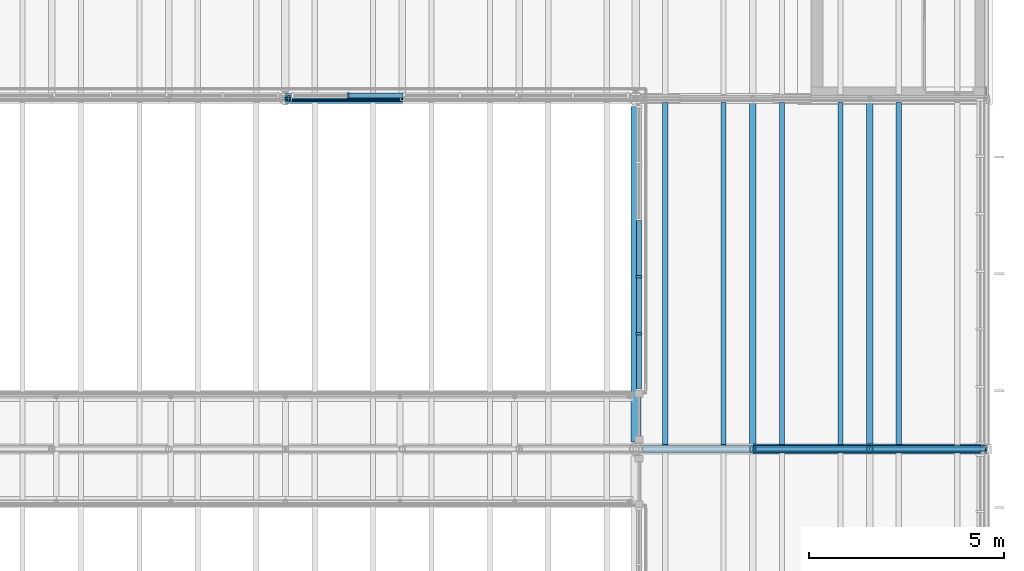
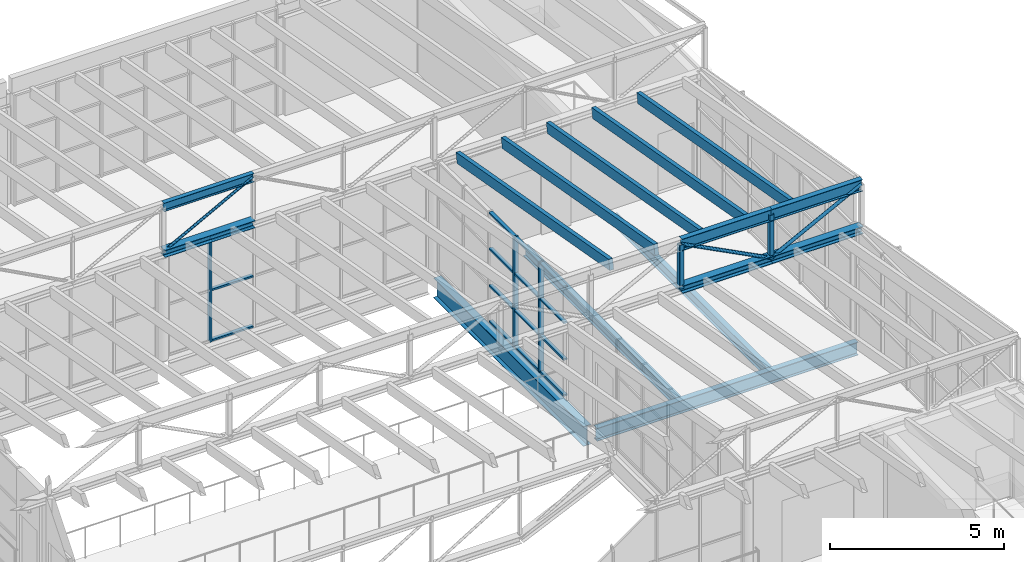
# One storey, part 23 of 44: 34 members, 4 beams, 2 elements without a shape of their own.
"""IFC4 building model written with IfcOpenShell, lengths in metres."""

from ifc_helpers import new_model, si_unit, direction, frame, origin, origin_2d, place, context, subcontext, project, spatial, rectangle, hollow_rectangle, hollow_circle, i_section, extrude, material, layer, layer_set, material_profile, profile_set, type_object, element, aggregate, save


model = new_model("IFC4")

# Units and contexts
model_context = context("Model", 3, precision=1e-05, world=origin(), true_north=direction((0.0, 1.0)))
body_context = subcontext(model_context, "Body", "Model", "MODEL_VIEW")
ifc_project = project(units=[si_unit("LENGTHUNIT", "METRE"), si_unit("AREAUNIT", "SQUARE_METRE"), si_unit("VOLUMEUNIT", "CUBIC_METRE"), si_unit("PLANEANGLEUNIT", "RADIAN"), si_unit("MASSUNIT", "GRAM", prefix="KILO")], contexts=[model_context])

# Site, building, storey
site_placement = place(None, origin())
site = spatial("IfcSite", under=ifc_project, at=site_placement, CompositionType="ELEMENT")
building_placement = place(site_placement, origin())
building = spatial("IfcBuilding", under=site, at=building_placement, Name="Halyard Row Museum", CompositionType="ELEMENT")
storey_placement = place(building_placement, frame((0.0, 0.0, 21.199951171875)))
storey = spatial("IfcBuildingStorey", under=building, at=storey_placement, Name="L04", CompositionType="ELEMENT", Elevation=21.199951171875)

# Beam
ifc_material_1 = material(Name="Steel Grade 300", Category="steel")
ifc_material_profile_1 = material_profile(ifc_material_1, i_section(OverallWidth=0.25, OverallDepth=0.699951171875, WebThickness=0.010009765625, FlangeThickness=0.02001953125, at=origin_2d()), Name="700WB130")
ifc_profile_set_1 = profile_set([ifc_material_profile_1], Name="Steel Grade 300")
beam_type_1 = type_object("IfcBeamType", Name="Bearing beam 700WB130", PredefinedType="BEAM", material=ifc_profile_set_1)
beam_1_placement = place(storey_placement, frame((99.0, 18.177734375, -0.514892578125), z_axis=(0.0, 1.0, 0.0), x_axis=(-1.0, 0.0, 0.0)))
element("IfcBeam", 1, at=beam_1_placement, inside=storey, type_object=beam_type_1, Name="Beam L04-029", PredefinedType="BEAM", context=body_context, shape_type="SweptSolid", body=[
    extrude(i_section(OverallWidth=0.25, OverallDepth=0.699951171875, WebThickness=0.010009765625, FlangeThickness=0.02001953125, at=origin_2d()), origin(), (0.0, 0.0, 1.0), 8.619140625),
])

# Curtain wall, members
ifc_material_2 = material(Name="Fire-resisting laminated glazing", Category="glass")
ifc_layer = layer(ifc_material_2, 0.159912109375)
ifc_layer_set = layer_set([ifc_layer], Name="Fire-resisting laminated glazing")
curtain_wall_type = type_object("IfcCurtainWallType", Name="Curtain wall atrium screen 160 deep", PredefinedType="NOTDEFINED", material=ifc_layer_set)
curtain_wall_1_placement = place(storey_placement, origin())
curtain_wall_1 = element("IfcCurtainWall", 2, at=curtain_wall_1_placement, inside=storey, type_object=curtain_wall_type, Name="Curtain wall CW105", PredefinedType="NOTDEFINED")
ifc_material_3 = material(Name="Powder-coated aluminium section", Category="aluminium")
ifc_material_profile_2 = material_profile(ifc_material_3, rectangle(XDim=0.159912109375, YDim=0.06005859375, at=origin_2d()), Name="160x60 mullion")
ifc_profile_set_2 = profile_set([ifc_material_profile_2], Name="Powder-coated aluminium section")
member_type_1 = type_object("IfcMemberType", Name="Curtain wall mullion CM5 60 x 160", PredefinedType="MULLION", material=ifc_profile_set_2)
member_1_placement = place(storey_placement, frame((99.080078125, 20.96435546875, 0.0), z_axis=(0.0, 0.0, 1.0), x_axis=(-1.0, 0.0, 0.0)))
member_1 = element("IfcMember", 3, at=member_1_placement, type_object=member_type_1, Name="CW105 mullion 2", PredefinedType="MULLION", context=body_context, shape_type="SweptSolid", body=[
    extrude(rectangle(XDim=0.159912109375, YDim=0.06005859375, at=origin_2d()), origin(), (0.0, 0.0, 1.0), 3.878173828125),
])
member_2_placement = place(storey_placement, frame((99.080078125, 22.428955078125, 0.0), z_axis=(0.0, 0.0, 1.0), x_axis=(-1.0, 0.0, 0.0)))
member_2 = element("IfcMember", 4, at=member_2_placement, type_object=member_type_1, Name="CW105 mullion 3", PredefinedType="MULLION", context=body_context, shape_type="SweptSolid", body=[
    extrude(rectangle(XDim=0.159912109375, YDim=0.06005859375, at=origin_2d()), origin(), (0.0, 0.0, 1.0), 3.878173828125),
])

# Curtain wall, member
curtain_wall_2_placement = place(storey_placement, origin())
curtain_wall_2 = element("IfcCurtainWall", 5, at=curtain_wall_2_placement, inside=storey, type_object=curtain_wall_type, Name="Curtain wall CW106", PredefinedType="NOTDEFINED")
member_3_placement = place(storey_placement, frame((91.605224609375, 27.080078125, 0.0), z_axis=(0.0, 0.0, 1.0), x_axis=(0.0, -1.0, 0.0)))
member_3 = element("IfcMember", 6, at=member_3_placement, type_object=member_type_1, Name="CW106 mullion 6", PredefinedType="MULLION", context=body_context, shape_type="SweptSolid", body=[
    extrude(rectangle(XDim=0.159912109375, YDim=0.06005859375, at=origin_2d()), origin(), (0.0, 0.0, 1.0), 3.60009765625),
])

# Member
ifc_material_4 = material(Name="Powder-coated aluminium section", Category="aluminium")
ifc_material_profile_3 = material_profile(ifc_material_4, rectangle(XDim=0.1201171875, YDim=0.06005859375, at=origin_2d()), Name="120x60 transom")
ifc_profile_set_3 = profile_set([ifc_material_profile_3], Name="Powder-coated aluminium section")
member_type_2 = type_object("IfcMemberType", Name="Curtain wall transom CT5 60 x 120", PredefinedType="USERDEFINED", material=ifc_profile_set_3)
member_4_placement = place(storey_placement, frame((99.080078125, 19.56005859375, 0.030029296875), z_axis=(0.0, 1.0, 0.0), x_axis=(-1.0, 0.0, 0.0)))
member_4 = element("IfcMember", 7, at=member_4_placement, type_object=member_type_2, Name="CW105 transom 1.1", ObjectType="TRANSOM", PredefinedType="USERDEFINED", context=body_context, shape_type="SweptSolid", body=[
    extrude(rectangle(XDim=0.1201171875, YDim=0.06005859375, at=origin_2d()), origin(), (0.0, 0.0, 1.0), 1.374267578125),
])

member_5_placement = place(storey_placement, frame((99.080078125, 19.56005859375, 1.292724609375), z_axis=(0.0, 1.0, 0.0), x_axis=(-1.0, 0.0, 0.0)))
member_5 = element("IfcMember", 8, at=member_5_placement, type_object=member_type_2, Name="CW105 transom 1.2", ObjectType="TRANSOM", PredefinedType="USERDEFINED", context=body_context, shape_type="SweptSolid", body=[
    extrude(rectangle(XDim=0.1201171875, YDim=0.06005859375, at=origin_2d()), origin(), (0.0, 0.0, 1.0), 1.374267578125),
])

member_6_placement = place(storey_placement, frame((99.080078125, 19.56005859375, 2.58544921875), z_axis=(0.0, 1.0, 0.0), x_axis=(-1.0, 0.0, 0.0)))
member_6 = element("IfcMember", 9, at=member_6_placement, type_object=member_type_2, Name="CW105 transom 1.3", ObjectType="TRANSOM", PredefinedType="USERDEFINED", context=body_context, shape_type="SweptSolid", body=[
    extrude(rectangle(XDim=0.1201171875, YDim=0.06005859375, at=origin_2d()), origin(), (0.0, 0.0, 1.0), 1.374267578125),
])

member_7_placement = place(storey_placement, frame((99.080078125, 19.56005859375, 3.84814453125), z_axis=(0.0, 1.0, 0.0), x_axis=(-1.0, 0.0, 0.0)))
member_7 = element("IfcMember", 10, at=member_7_placement, type_object=member_type_2, Name="CW105 transom 1.4", ObjectType="TRANSOM", PredefinedType="USERDEFINED", context=body_context, shape_type="SweptSolid", body=[
    extrude(rectangle(XDim=0.1201171875, YDim=0.06005859375, at=origin_2d()), origin(), (0.0, 0.0, 1.0), 1.374267578125),
])

member_8_placement = place(storey_placement, frame((99.080078125, 20.994384765625, 0.030029296875), z_axis=(0.0, 1.0, 0.0), x_axis=(-1.0, 0.0, 0.0)))
member_8 = element("IfcMember", 11, at=member_8_placement, type_object=member_type_2, Name="CW105 transom 2.1", ObjectType="TRANSOM", PredefinedType="USERDEFINED", context=body_context, shape_type="SweptSolid", body=[
    extrude(rectangle(XDim=0.1201171875, YDim=0.06005859375, at=origin_2d()), origin(), (0.0, 0.0, 1.0), 1.404541015625),
])

member_9_placement = place(storey_placement, frame((99.080078125, 20.994384765625, 1.292724609375), z_axis=(0.0, 1.0, 0.0), x_axis=(-1.0, 0.0, 0.0)))
member_9 = element("IfcMember", 12, at=member_9_placement, type_object=member_type_2, Name="CW105 transom 2.2", ObjectType="TRANSOM", PredefinedType="USERDEFINED", context=body_context, shape_type="SweptSolid", body=[
    extrude(rectangle(XDim=0.1201171875, YDim=0.06005859375, at=origin_2d()), origin(), (0.0, 0.0, 1.0), 1.404541015625),
])

member_10_placement = place(storey_placement, frame((99.080078125, 20.994384765625, 2.58544921875), z_axis=(0.0, 1.0, 0.0), x_axis=(-1.0, 0.0, 0.0)))
member_10 = element("IfcMember", 13, at=member_10_placement, type_object=member_type_2, Name="CW105 transom 2.3", ObjectType="TRANSOM", PredefinedType="USERDEFINED", context=body_context, shape_type="SweptSolid", body=[
    extrude(rectangle(XDim=0.1201171875, YDim=0.06005859375, at=origin_2d()), origin(), (0.0, 0.0, 1.0), 1.404541015625),
])

member_11_placement = place(storey_placement, frame((99.080078125, 20.994384765625, 3.84814453125), z_axis=(0.0, 1.0, 0.0), x_axis=(-1.0, 0.0, 0.0)))
member_11 = element("IfcMember", 14, at=member_11_placement, type_object=member_type_2, Name="CW105 transom 2.4", ObjectType="TRANSOM", PredefinedType="USERDEFINED", context=body_context, shape_type="SweptSolid", body=[
    extrude(rectangle(XDim=0.1201171875, YDim=0.06005859375, at=origin_2d()), origin(), (0.0, 0.0, 1.0), 1.404541015625),
])

member_12_placement = place(storey_placement, frame((99.080078125, 22.458984375, 0.030029296875), z_axis=(0.0, 1.0, 0.0), x_axis=(-1.0, 0.0, 0.0)))
member_12 = element("IfcMember", 15, at=member_12_placement, type_object=member_type_2, Name="CW105 transom 3.1", ObjectType="TRANSOM", PredefinedType="USERDEFINED", context=body_context, shape_type="SweptSolid", body=[
    extrude(rectangle(XDim=0.1201171875, YDim=0.06005859375, at=origin_2d()), origin(), (0.0, 0.0, 1.0), 1.404296875),
])

member_13_placement = place(storey_placement, frame((99.080078125, 22.458984375, 1.292724609375), z_axis=(0.0, 1.0, 0.0), x_axis=(-1.0, 0.0, 0.0)))
member_13 = element("IfcMember", 16, at=member_13_placement, type_object=member_type_2, Name="CW105 transom 3.2", ObjectType="TRANSOM", PredefinedType="USERDEFINED", context=body_context, shape_type="SweptSolid", body=[
    extrude(rectangle(XDim=0.1201171875, YDim=0.06005859375, at=origin_2d()), origin(), (0.0, 0.0, 1.0), 1.404296875),
])

member_14_placement = place(storey_placement, frame((99.080078125, 22.458984375, 2.58544921875), z_axis=(0.0, 1.0, 0.0), x_axis=(-1.0, 0.0, 0.0)))
member_14 = element("IfcMember", 17, at=member_14_placement, type_object=member_type_2, Name="CW105 transom 3.3", ObjectType="TRANSOM", PredefinedType="USERDEFINED", context=body_context, shape_type="SweptSolid", body=[
    extrude(rectangle(XDim=0.1201171875, YDim=0.06005859375, at=origin_2d()), origin(), (0.0, 0.0, 1.0), 1.404296875),
])

member_15_placement = place(storey_placement, frame((99.080078125, 22.458984375, 3.84814453125), z_axis=(0.0, 1.0, 0.0), x_axis=(-1.0, 0.0, 0.0)))
member_15 = element("IfcMember", 18, at=member_15_placement, type_object=member_type_2, Name="CW105 transom 3.4", ObjectType="TRANSOM", PredefinedType="USERDEFINED", context=body_context, shape_type="SweptSolid", body=[
    extrude(rectangle(XDim=0.1201171875, YDim=0.06005859375, at=origin_2d()), origin(), (0.0, 0.0, 1.0), 1.404296875),
])

aggregate(curtain_wall_1, [member_1, member_2, member_4, member_5, member_6, member_7, member_8, member_9, member_10, member_11, member_12, member_13, member_14, member_15])

member_16_placement = place(storey_placement, frame((93.018798828125, 27.080078125, 0.030029296875), z_axis=(-1.0, 0.0, 0.0), x_axis=(0.0, -1.0, 0.0)))
member_16 = element("IfcMember", 19, at=member_16_placement, type_object=member_type_2, Name="CW106 transom 5.1", ObjectType="TRANSOM", PredefinedType="USERDEFINED", context=body_context, shape_type="SweptSolid", body=[
    extrude(rectangle(XDim=0.1201171875, YDim=0.06005859375, at=origin_2d()), origin(), (0.0, 0.0, 1.0), 1.383544921875),
])

member_17_placement = place(storey_placement, frame((93.018798828125, 27.080078125, 1.800048828125), z_axis=(-1.0, 0.0, 0.0), x_axis=(0.0, -1.0, 0.0)))
member_17 = element("IfcMember", 20, at=member_17_placement, type_object=member_type_2, Name="CW106 transom 5.2", ObjectType="TRANSOM", PredefinedType="USERDEFINED", context=body_context, shape_type="SweptSolid", body=[
    extrude(rectangle(XDim=0.1201171875, YDim=0.06005859375, at=origin_2d()), origin(), (0.0, 0.0, 1.0), 1.383544921875),
])

member_18_placement = place(storey_placement, frame((93.018798828125, 27.080078125, 3.570068359375), z_axis=(-1.0, 0.0, 0.0), x_axis=(0.0, -1.0, 0.0)))
member_18 = element("IfcMember", 21, at=member_18_placement, type_object=member_type_2, Name="CW106 transom 5.3", ObjectType="TRANSOM", PredefinedType="USERDEFINED", context=body_context, shape_type="SweptSolid", body=[
    extrude(rectangle(XDim=0.1201171875, YDim=0.06005859375, at=origin_2d()), origin(), (0.0, 0.0, 1.0), 1.383544921875),
])

aggregate(curtain_wall_2, [member_3, member_16, member_17, member_18])

# Beam
ifc_material_5 = material(Name="Steel Grade 300", Category="steel")
ifc_material_profile_4 = material_profile(ifc_material_5, i_section(OverallWidth=0.19091796875, OverallDepth=0.46044921875, WebThickness=0.010009765625, FlangeThickness=0.01611328125, FilletRadius=0.011474609375, at=origin_2d()), Name="460UB82.1")
ifc_profile_set_4 = profile_set([ifc_material_profile_4], Name="Steel Grade 300")
beam_type_2 = type_object("IfcBeamType", Name="Girder beam 460UB82.1", PredefinedType="BEAM", material=ifc_profile_set_4)
beam_2_placement = place(storey_placement, frame((99.177734375, 18.0, -0.395263671875), z_axis=(1.0, 0.0, 0.0), x_axis=(0.0, 1.0, 0.0)))
element("IfcBeam", 22, at=beam_2_placement, inside=storey, type_object=beam_type_2, Name="Beam L04-010", PredefinedType="BEAM", context=body_context, shape_type="SweptSolid", body=[
    extrude(i_section(OverallWidth=0.19091796875, OverallDepth=0.46044921875, WebThickness=0.010009765625, FlangeThickness=0.01611328125, FilletRadius=0.011474609375, at=origin_2d()), origin(), (0.0, 0.0, 1.0), 8.67236328125),
])

# Members
ifc_material_6 = material(Name="Glulam GL12 radiata pine", Category="wood")
ifc_material_profile_5 = material_profile(ifc_material_6, rectangle(XDim=0.135009765625, YDim=0.360107421875, at=origin_2d()), Name="GL12 135x360")
ifc_profile_set_5 = profile_set([ifc_material_profile_5], Name="Glulam GL12 radiata pine")
member_type_3 = type_object("IfcMemberType", Name="Rafter GL12 135x360", PredefinedType="RAFTER", material=ifc_profile_set_5)
for number, where, z_axis, x_axis, name in (
    (23, (99.75, 18.089111328125, 5.281494140625), (0.0, 0.98455904933, -0.175052787419), (-1.0, 0.0, 0.0), "Rafter V2-T3c.1"),
    (24, (101.25, 18.089111328125, 5.281494140625), (0.0, 0.98455904933, -0.175052787419), (-1.0, 0.0, 0.0), "Rafter V2-T3c.2"),
    (25, (102.75, 18.089111328125, 5.281494140625), (0.0, 0.98455904933, -0.175052787419), (-1.0, 0.0, 0.0), "Rafter V2-T3c.3"),
    (26, (104.25, 18.089111328125, 5.281494140625), (0.0, 0.98455904933, -0.175052787419), (-1.0, 0.0, 0.0), "Rafter V2-T3c.4"),
    (27, (105.75, 18.089111328125, 5.281494140625), (0.0, 0.98455904933, -0.175052787419), (-1.0, 0.0, 0.0), "Rafter V2-T3c.5"),
):
    element("IfcMember", number, at=place(storey_placement, frame(where, z_axis=z_axis, x_axis=x_axis)), inside=storey, type_object=member_type_3, Name=name, PredefinedType="RAFTER", context=body_context, shape_type="SweptSolid", body=[
        extrude(rectangle(XDim=0.135009765625, YDim=0.360107421875, at=origin_2d()), origin(), (0.0, 0.0, 1.0), 8.921630859375),
    ])

# Beams
ifc_material_7 = material(Name="Steel Grade 300", Category="steel")
ifc_material_profile_6 = material_profile(ifc_material_7, i_section(OverallWidth=0.1708984375, OverallDepth=0.355712890625, WebThickness=0.00732421875, FlangeThickness=0.011474609375, FilletRadius=0.011474609375, at=origin_2d()), Name="360UB50.7")
ifc_profile_set_6 = profile_set([ifc_material_profile_6], Name="Steel Grade 300")
beam_type_3 = type_object("IfcBeamType", Name="Secondary beam 360UB50.7", PredefinedType="BEAM", material=ifc_profile_set_6)
beam_3_placement = place(storey_placement, frame((102.0, 18.095458984375, -0.3427734375), z_axis=(0.0, 1.0, 0.0), x_axis=(-1.0, 0.0, 0.0)))
element("IfcBeam", 28, at=beam_3_placement, inside=storey, type_object=beam_type_3, Name="Beam L04-045", PredefinedType="BEAM", context=body_context, shape_type="SweptSolid", body=[
    extrude(i_section(OverallWidth=0.1708984375, OverallDepth=0.355712890625, WebThickness=0.00732421875, FlangeThickness=0.011474609375, FilletRadius=0.011474609375, at=origin_2d()), origin(), (0.0, 0.0, 1.0), 8.80908203125),
])
beam_4_placement = place(storey_placement, frame((105.0, 18.095458984375, -0.3427734375), z_axis=(0.0, 1.0, 0.0), x_axis=(-1.0, 0.0, 0.0)))
element("IfcBeam", 29, at=beam_4_placement, inside=storey, type_object=beam_type_3, Name="Beam L04-046", PredefinedType="BEAM", context=body_context, shape_type="SweptSolid", body=[
    extrude(i_section(OverallWidth=0.1708984375, OverallDepth=0.355712890625, WebThickness=0.00732421875, FlangeThickness=0.011474609375, FilletRadius=0.011474609375, at=origin_2d()), origin(), (0.0, 0.0, 1.0), 8.904541015625),
])

# Members
ifc_material_8 = material(Name="Steel Grade 300", Category="steel")
ifc_material_profile_7 = material_profile(ifc_material_8, i_section(OverallWidth=0.25390625, OverallDepth=0.25390625, WebThickness=0.008544921875, FlangeThickness=0.01416015625, FilletRadius=0.013916015625, at=origin_2d()), Name="250UC72.9")
ifc_profile_set_7 = profile_set([ifc_material_profile_7], Name="Steel Grade 300")
member_type_4 = type_object("IfcMemberType", Name="Valley truss bottom chord 250UC72.9", PredefinedType="CHORD", material=ifc_profile_set_7)
member_19_placement = place(storey_placement, frame((90.0, 27.0, 3.72705078125), z_axis=(1.0, 0.0, 0.0), x_axis=(0.0, 1.0, 0.0)))
element("IfcMember", 30, at=member_19_placement, inside=storey, type_object=member_type_4, Name="V2-VT4 bottom chord 3.1", PredefinedType="CHORD", context=body_context, shape_type="SweptSolid", body=[
    extrude(i_section(OverallWidth=0.25390625, OverallDepth=0.25390625, WebThickness=0.008544921875, FlangeThickness=0.01416015625, FilletRadius=0.013916015625, at=origin_2d()), origin(), (0.0, 0.0, 1.0), 3.0),
])
ifc_material_9 = material(Name="Steel Grade 300", Category="steel")
ifc_material_profile_8 = material_profile(ifc_material_9, i_section(OverallWidth=0.256103515625, OverallDepth=0.260009765625, WebThickness=0.010498046875, FlangeThickness=0.017333984375, FilletRadius=0.013916015625, at=origin_2d()), Name="250UC89.5")
ifc_profile_set_8 = profile_set([ifc_material_profile_8], Name="Steel Grade 300")
member_type_5 = type_object("IfcMemberType", Name="Valley truss bottom chord 250UC89.5", PredefinedType="CHORD", material=ifc_profile_set_8)
for number, where, z_axis, x_axis, name in (
    (31, (102.0, 18.0, 3.72998046875), (1.0, 0.0, 0.0), (0.0, 1.0, 0.0), "V2-VT3 bottom chord 3.2"),
    (32, (105.0, 18.0, 3.72998046875), (1.0, 0.0, 0.0), (0.0, 1.0, 0.0), "V2-VT3 bottom chord 3.3"),
):
    element("IfcMember", number, at=place(storey_placement, frame(where, z_axis=z_axis, x_axis=x_axis)), inside=storey, type_object=member_type_5, Name=name, PredefinedType="CHORD", context=body_context, shape_type="SweptSolid", body=[
        extrude(i_section(OverallWidth=0.256103515625, OverallDepth=0.260009765625, WebThickness=0.010498046875, FlangeThickness=0.017333984375, FilletRadius=0.013916015625, at=origin_2d()), origin(), (0.0, 0.0, 1.0), 3.0),
    ])
ifc_material_10 = material(Name="Steel Grade C250L0", Category="steel")
ifc_material_profile_9 = material_profile(ifc_material_10, hollow_circle(Radius=0.05712890625, WallThickness=0.00537109375, at=origin_2d()), Name="114.3x5.4CHS")
ifc_profile_set_9 = profile_set([ifc_material_profile_9], Name="Steel Grade C250L0")
member_type_6 = type_object("IfcMemberType", Name="Valley truss diagonal 114.3x5.4CHS", PredefinedType="BRACE", material=ifc_profile_set_9)
for number, where, z_axis, x_axis, name in (
    (33, (102.0, 18.0, 5.27685546875), (0.888803167408, 0.0, -0.458289133195), (0.0, 1.0, 0.0), "V2-VT3 diagonal 3.2"),
    (34, (105.0, 18.0, 3.72998046875), (0.888803167408, 0.0, 0.458289133195), (0.0, 1.0, 0.0), "V2-VT3 diagonal 3.3"),
):
    element("IfcMember", number, at=place(storey_placement, frame(where, z_axis=z_axis, x_axis=x_axis)), inside=storey, type_object=member_type_6, Name=name, PredefinedType="BRACE", context=body_context, shape_type="SweptSolid", body=[
        extrude(hollow_circle(Radius=0.05712890625, WallThickness=0.00537109375, at=origin_2d()), origin(), (0.0, 0.0, 1.0), 3.375244140625),
    ])
ifc_material_11 = material(Name="Steel Grade C250L0", Category="steel")
ifc_material_profile_10 = material_profile(ifc_material_11, hollow_circle(Radius=0.04443359375, WallThickness=0.0048828125, at=origin_2d()), Name="88.9x5.0CHS")
ifc_profile_set_10 = profile_set([ifc_material_profile_10], Name="Steel Grade C250L0")
member_type_7 = type_object("IfcMemberType", Name="Valley truss diagonal 88.9x5.0CHS", PredefinedType="BRACE", material=ifc_profile_set_10)
member_20_placement = place(storey_placement, frame((90.0, 27.0, 3.72705078125), z_axis=(0.881863759518, 0.0, 0.471504305016), x_axis=(0.0, 1.0, 0.0)))
element("IfcMember", 35, at=member_20_placement, inside=storey, type_object=member_type_7, Name="V2-VT4 diagonal 3.1", PredefinedType="BRACE", context=body_context, shape_type="SweptSolid", body=[
    extrude(hollow_circle(Radius=0.04443359375, WallThickness=0.0048828125, at=origin_2d()), origin(), (0.0, 0.0, 1.0), 3.40185546875),
])
ifc_material_12 = material(Name="Steel Grade C350L0", Category="steel")
ifc_material_profile_11 = material_profile(ifc_material_12, hollow_rectangle(XDim=0.14990234375, YDim=0.14990234375, WallThickness=0.006103515625, InnerFilletRadius=0.009033203125, OuterFilletRadius=0.014892578125, at=origin_2d()), Name="150x150x6.0SHS")
ifc_profile_set_11 = profile_set([ifc_material_profile_11], Name="Steel Grade C350L0")
member_type_8 = type_object("IfcMemberType", Name="Valley truss post 150x150x6.0SHS", PredefinedType="POST", material=ifc_profile_set_11)
for number, where, z_axis, x_axis, name in (
    (36, (102.0, 18.0, 3.72998046875), (0.0, 0.0, 1.0), (1.0, 0.0, 0.0), "V2-VT3 post 3.1"),
    (37, (105.0, 18.0, 3.72998046875), (0.0, 0.0, 1.0), (1.0, 0.0, 0.0), "V2-VT3 post 3.2"),
):
    element("IfcMember", number, at=place(storey_placement, frame(where, z_axis=z_axis, x_axis=x_axis)), inside=storey, type_object=member_type_8, Name=name, PredefinedType="POST", context=body_context, shape_type="SweptSolid", body=[
        extrude(hollow_rectangle(XDim=0.14990234375, YDim=0.14990234375, WallThickness=0.006103515625, InnerFilletRadius=0.009033203125, OuterFilletRadius=0.014892578125, at=origin_2d()), origin(), (0.0, 0.0, 1.0), 1.546875),
    ])
ifc_material_13 = material(Name="Steel Grade 300", Category="steel")
ifc_material_profile_12 = material_profile(ifc_material_13, i_section(OverallWidth=0.14892578125, OverallDepth=0.298095703125, WebThickness=0.005615234375, FlangeThickness=0.008056640625, FilletRadius=0.012939453125, at=origin_2d()), Name="310UB32.0")
ifc_profile_set_12 = profile_set([ifc_material_profile_12], Name="Steel Grade 300")
member_type_9 = type_object("IfcMemberType", Name="Valley truss top chord 310UB32.0", PredefinedType="CHORD", material=ifc_profile_set_12)
member_21_placement = place(storey_placement, frame((90.0, 27.0, 5.3310546875), z_axis=(1.0, 0.0, 0.0), x_axis=(0.0, 1.0, 0.0)))
element("IfcMember", 38, at=member_21_placement, inside=storey, type_object=member_type_9, Name="V2-VT4 top chord 3.1", PredefinedType="CHORD", context=body_context, shape_type="SweptSolid", body=[
    extrude(i_section(OverallWidth=0.14892578125, OverallDepth=0.298095703125, WebThickness=0.005615234375, FlangeThickness=0.008056640625, FilletRadius=0.012939453125, at=origin_2d()), origin(), (0.0, 0.0, 1.0), 3.0),
])
ifc_material_14 = material(Name="Steel Grade 300", Category="steel")
ifc_material_profile_13 = material_profile(ifc_material_14, i_section(OverallWidth=0.177978515625, OverallDepth=0.406494140625, WebThickness=0.0078125, FlangeThickness=0.0126953125, FilletRadius=0.011474609375, at=origin_2d()), Name="410UB59.7")
ifc_profile_set_13 = profile_set([ifc_material_profile_13], Name="Steel Grade 300")
member_type_10 = type_object("IfcMemberType", Name="Valley truss top chord 410UB59.7", PredefinedType="CHORD", material=ifc_profile_set_13)
for number, where, z_axis, x_axis, name in (
    (39, (102.0, 18.0, 5.27685546875), (1.0, 0.0, 0.0), (0.0, 1.0, 0.0), "V2-VT3 top chord 3.2"),
    (40, (105.0, 18.0, 5.27685546875), (1.0, 0.0, 0.0), (0.0, 1.0, 0.0), "V2-VT3 top chord 3.3"),
):
    element("IfcMember", number, at=place(storey_placement, frame(where, z_axis=z_axis, x_axis=x_axis)), inside=storey, type_object=member_type_10, Name=name, PredefinedType="CHORD", context=body_context, shape_type="SweptSolid", body=[
        extrude(i_section(OverallWidth=0.177978515625, OverallDepth=0.406494140625, WebThickness=0.0078125, FlangeThickness=0.0126953125, FilletRadius=0.011474609375, at=origin_2d()), origin(), (0.0, 0.0, 1.0), 3.0),
    ])

save(model, "model.ifc")
